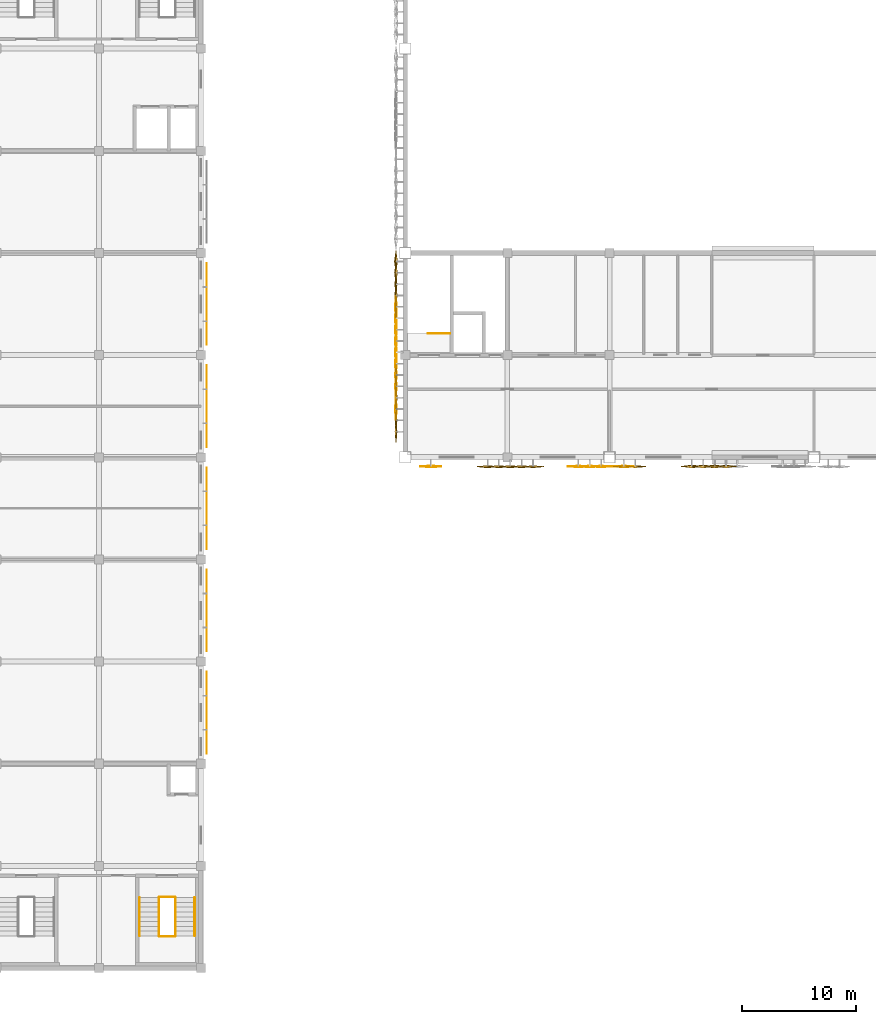
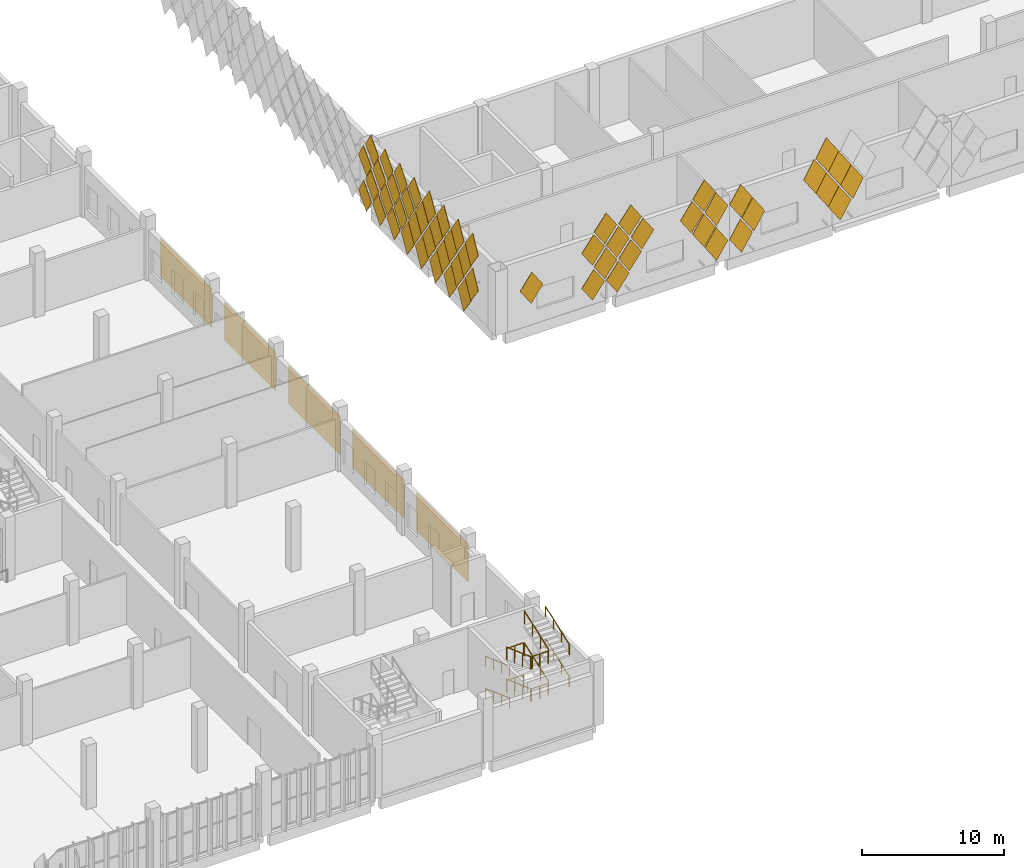
# One storey, part 167 of 185: 61 coverings, 13 railings.
"""IFC4 building model written with IfcOpenShell, lengths in metres."""

from ifc_helpers import new_model, si_unit, direction, frame, origin, origin_2d, place, context, subcontext, project, spatial, polyline, rectangle, circle, outline, extrude, material, layer, layer_set, constituent, constituent_set, material_profile, profile_set, type_object, element, save


model = new_model("IFC4")

# Units and contexts
model_context = context("Model", 3, precision=1e-05, world=origin(), true_north=direction((0.0, 1.0)))
body_context = subcontext(model_context, "Body", "Model", "MODEL_VIEW")
ifc_project = project(units=[si_unit("LENGTHUNIT", "METRE"), si_unit("AREAUNIT", "SQUARE_METRE"), si_unit("VOLUMEUNIT", "CUBIC_METRE"), si_unit("PLANEANGLEUNIT", "RADIAN"), si_unit("MASSUNIT", "GRAM", prefix="KILO")], contexts=[model_context])

# Site, building, storey
site_placement = place(None, origin())
site = spatial("IfcSite", under=ifc_project, at=site_placement, CompositionType="ELEMENT")
building_placement = place(site_placement, origin())
building = spatial("IfcBuilding", under=site, at=building_placement, Name="Opaline Strait Convention Centre", CompositionType="ELEMENT")
storey_placement = place(building_placement, frame((0.0, 0.0, 6.0)))
storey = spatial("IfcBuildingStorey", under=building, at=storey_placement, Name="L01", CompositionType="ELEMENT", Elevation=6.0)

# Coverings
ifc_material_1 = material(Name="White ceramic-faced aluminium tile", Category="aluminium")
ifc_material_profile_1 = material_profile(ifc_material_1, outline(polyline([(0.927978515625, 0.0), (0.0, 1.39208984375), (-0.927978515625, 0.0), (0.0, -1.39208984375), (0.927978515625, 0.0)])), Name="Diamond tile 1856x2784")
ifc_profile_set_1 = profile_set([ifc_material_profile_1], Name="White ceramic-faced aluminium tile")
covering_type_1 = type_object("IfcCoveringType", Name="Diamond wall tile 1856x2784x30 pivot 1.5 deg", PredefinedType="CLADDING", material=ifc_profile_set_1)
for number, where, z_axis, x_axis, name in (
    (1, (115.25, 53.199951171875, 3.39208984375), (0.0, -0.999702690643, 0.024382992455), (1.0, 0.0, 0.0), "Wall tile XT03 S"),
    (2, (114.25, 53.199951171875, 4.89208984375), (0.0, -0.999471633277, -0.032503142546), (1.0, 0.0, 0.0), "Wall tile XT03 S"),
    (3, (115.25, 53.199951171875, 6.39208984375), (0.0, -0.999471633277, -0.032503142546), (1.0, 0.0, 0.0), "Wall tile XT03 S"),
    (4, (98.199951171875, 63.25, 4.39208984375), (-0.999702690643, 0.0, 0.024382992455), (0.0, -1.0, 0.0), "Wall tile XT03 W"),
    (5, (98.199951171875, 62.25, 5.89208984375), (-0.999702690643, 0.0, 0.024382992455), (0.0, -1.0, 0.0), "Wall tile XT03 W"),
):
    element("IfcCovering", number, at=place(storey_placement, frame(where, z_axis=z_axis, x_axis=x_axis)), inside=storey, type_object=covering_type_1, Name=name, PredefinedType="CLADDING", context=body_context, shape_type="SweptSolid", body=[
        extrude(outline(polyline([(0.927978515625, 0.0), (0.0, 1.39208984375), (-0.927978515625, 0.0), (0.0, -1.39208984375), (0.927978515625, 0.0)])), origin(), (0.0, 0.0, 1.0), 0.030029296875),
    ])
ifc_material_profile_2 = material_profile(ifc_material_1, outline(polyline([(0.927978515625, 0.0), (0.0, 1.39208984375), (-0.927978515625, 0.0), (0.0, -1.39208984375), (0.927978515625, 0.0)])), Name="Diamond tile 1856x2784")
ifc_profile_set_2 = profile_set([ifc_material_profile_2], Name="White ceramic-faced aluminium tile")
covering_type_2 = type_object("IfcCoveringType", Name="Diamond wall tile 1856x2784x30 pivot 2 deg", PredefinedType="CLADDING", material=ifc_profile_set_2)
for number, where, z_axis, x_axis, name in (
    (6, (116.25, 53.199951171875, 1.89208984375), (0.0, -0.999471633277, 0.032503142546), (1.0, 0.0, 0.0), "Wall tile XT04 S"),
    (7, (101.25, 53.199951171875, 3.39208984375), (0.0, -0.999174794796, -0.040616861577), (1.0, 0.0, 0.0), "Wall tile XT04 S"),
    (8, (116.25, 53.199951171875, 4.89208984375), (0.0, -0.999471633277, 0.032503142546), (1.0, 0.0, 0.0), "Wall tile XT04 S"),
    (9, (118.25, 53.199951171875, 4.89208984375), (0.0, -0.999471633277, 0.032503142546), (1.0, 0.0, 0.0), "Wall tile XT04 S"),
    (10, (98.199951171875, 67.25, 1.39208984375), (-0.999174794796, 0.0, -0.040616861577), (0.0, -1.0, 0.0), "Wall tile XT04 W"),
    (11, (98.199951171875, 65.25, 1.39208984375), (-0.999471633277, 0.0, 0.032503142546), (0.0, -1.0, 0.0), "Wall tile XT04 W"),
    (12, (98.199951171875, 66.25, 2.89208984375), (-0.999174794796, 0.0, -0.040616861577), (0.0, -1.0, 0.0), "Wall tile XT04 W"),
    (13, (98.199951171875, 64.25, 2.89208984375), (-0.999471633277, 0.0, 0.032503142546), (0.0, -1.0, 0.0), "Wall tile XT04 W"),
    (14, (98.199951171875, 65.25, 4.39208984375), (-0.999174794796, 0.0, -0.040616861577), (0.0, -1.0, 0.0), "Wall tile XT04 W"),
    (15, (98.199951171875, 61.25, 4.39208984375), (-0.999471633277, 0.0, 0.032503142546), (0.0, -1.0, 0.0), "Wall tile XT04 W"),
    (16, (98.199951171875, 64.25, 5.89208984375), (-0.999174794796, 0.0, -0.040616861577), (0.0, -1.0, 0.0), "Wall tile XT04 W"),
    (17, (98.199951171875, 60.25, 5.89208984375), (-0.999471633277, 0.0, 0.032503142546), (0.0, -1.0, 0.0), "Wall tile XT04 W"),
):
    element("IfcCovering", number, at=place(storey_placement, frame(where, z_axis=z_axis, x_axis=x_axis)), inside=storey, type_object=covering_type_2, Name=name, PredefinedType="CLADDING", context=body_context, shape_type="SweptSolid", body=[
        extrude(outline(polyline([(0.927978515625, 0.0), (0.0, 1.39208984375), (-0.927978515625, 0.0), (0.0, -1.39208984375), (0.927978515625, 0.0)])), origin(), (0.0, 0.0, 1.0), 0.030029296875),
    ])
ifc_material_profile_3 = material_profile(ifc_material_1, outline(polyline([(0.927978515625, 0.0), (0.0, 1.39208984375), (-0.927978515625, 0.0), (0.0, -1.39208984375), (0.927978515625, 0.0)])), Name="Diamond tile 1856x2784")
ifc_profile_set_3 = profile_set([ifc_material_profile_3], Name="White ceramic-faced aluminium tile")
covering_type_3 = type_object("IfcCoveringType", Name="Diamond wall tile 1856x2784x30 pivot 2.5 deg", PredefinedType="CLADDING", material=ifc_profile_set_3)
for number, where, z_axis, x_axis, name in (
    (18, (98.199951171875, 69.25, 1.39208984375), (-0.998812351125, 0.0, -0.048722553713), (0.0, -1.0, 0.0), "Wall tile XT05 W"),
    (19, (98.199951171875, 63.25, 1.39208984375), (-0.999174794796, 0.0, 0.040616861577), (0.0, -1.0, 0.0), "Wall tile XT05 W"),
    (20, (98.199951171875, 68.25, 2.89208984375), (-0.998812351125, 0.0, -0.048722553713), (0.0, -1.0, 0.0), "Wall tile XT05 W"),
    (21, (98.199951171875, 62.25, 2.89208984375), (-0.999174794796, 0.0, 0.040616861577), (0.0, -1.0, 0.0), "Wall tile XT05 W"),
    (22, (98.199951171875, 67.25, 4.39208984375), (-0.998812351125, 0.0, -0.048722553713), (0.0, -1.0, 0.0), "Wall tile XT05 W"),
    (23, (98.199951171875, 66.25, 5.89208984375), (-0.998812351125, 0.0, -0.048722553713), (0.0, -1.0, 0.0), "Wall tile XT05 W"),
    (24, (98.199951171875, 58.25, 5.89208984375), (-0.999174794796, 0.0, 0.040616861577), (0.0, -1.0, 0.0), "Wall tile XT05 W"),
):
    element("IfcCovering", number, at=place(storey_placement, frame(where, z_axis=z_axis, x_axis=x_axis)), inside=storey, type_object=covering_type_3, Name=name, PredefinedType="CLADDING", context=body_context, shape_type="SweptSolid", body=[
        extrude(outline(polyline([(0.927978515625, 0.0), (0.0, 1.39208984375), (-0.927978515625, 0.0), (0.0, -1.39208984375), (0.927978515625, 0.0)])), origin(), (0.0, 0.0, 1.0), 0.030029296875),
    ])
ifc_material_profile_4 = material_profile(ifc_material_1, outline(polyline([(0.927978515625, 0.0), (0.0, 1.39208984375), (-0.927978515625, 0.0), (0.0, -1.39208984375), (0.927978515625, 0.0)])), Name="Diamond tile 1856x2784")
ifc_profile_set_4 = profile_set([ifc_material_profile_4], Name="White ceramic-faced aluminium tile")
covering_type_4 = type_object("IfcCoveringType", Name="Diamond wall tile 1856x2784x30 pivot 3 deg", PredefinedType="CLADDING", material=ifc_profile_set_4)
for number, where, z_axis, x_axis, name in (
    (25, (98.199951171875, 60.25, 2.89208984375), (-0.998812351125, 0.0, 0.048722553713), (0.0, -1.0, 0.0), "Wall tile XT06 W"),
    (26, (98.199951171875, 59.25, 4.39208984375), (-0.998812351125, 0.0, 0.048722553713), (0.0, -1.0, 0.0), "Wall tile XT06 W"),
):
    element("IfcCovering", number, at=place(storey_placement, frame(where, z_axis=z_axis, x_axis=x_axis)), inside=storey, type_object=covering_type_4, Name=name, PredefinedType="CLADDING", context=body_context, shape_type="SweptSolid", body=[
        extrude(outline(polyline([(0.927978515625, 0.0), (0.0, 1.39208984375), (-0.927978515625, 0.0), (0.0, -1.39208984375), (0.927978515625, 0.0)])), origin(), (0.0, 0.0, 1.0), 0.030029296875),
    ])
ifc_material_profile_5 = material_profile(ifc_material_1, outline(polyline([(0.927978515625, 0.0), (0.0, 1.39208984375), (-0.927978515625, 0.0), (0.0, -1.39208984375), (0.927978515625, 0.0)])), Name="Diamond tile 1856x2784")
ifc_profile_set_5 = profile_set([ifc_material_profile_5], Name="White ceramic-faced aluminium tile")
covering_type_5 = type_object("IfcCoveringType", Name="Diamond wall tile 1856x2784x30 pivot 3.5 deg", PredefinedType="CLADDING", material=ifc_profile_set_5)
for number, where, z_axis, x_axis, name in (
    (27, (108.25, 53.199951171875, 1.89208984375), (0.0, -0.99785694905, -0.065433242561), (1.0, 0.0, 0.0), "Wall tile XT07 S"),
    (28, (118.25, 53.199951171875, 1.89208984375), (0.0, -0.99835799028, 0.057282835508), (1.0, 0.0, 0.0), "Wall tile XT07 S"),
    (29, (109.25, 53.199951171875, 3.39208984375), (0.0, -0.99785694905, -0.065433242561), (1.0, 0.0, 0.0), "Wall tile XT07 S"),
    (30, (119.25, 53.199951171875, 3.39208984375), (0.0, -0.99835799028, 0.057282835508), (1.0, 0.0, 0.0), "Wall tile XT07 S"),
    (31, (110.25, 53.199951171875, 4.89208984375), (0.0, -0.99785694905, -0.065433242561), (1.0, 0.0, 0.0), "Wall tile XT07 S"),
    (32, (98.199951171875, 61.25, 1.39208984375), (-0.99835799028, 0.0, 0.057282835508), (0.0, -1.0, 0.0), "Wall tile XT07 W"),
    (33, (98.199951171875, 57.25, 1.39208984375), (-0.99835799028, 0.0, 0.057282835508), (0.0, -1.0, 0.0), "Wall tile XT07 W"),
    (34, (98.199951171875, 58.25, 2.89208984375), (-0.99835799028, 0.0, 0.057282835508), (0.0, -1.0, 0.0), "Wall tile XT07 W"),
    (35, (98.199951171875, 56.25, 2.89208984375), (-0.99835799028, 0.0, 0.057282835508), (0.0, -1.0, 0.0), "Wall tile XT07 W"),
    (36, (98.199951171875, 57.25, 4.39208984375), (-0.99835799028, 0.0, 0.057282835508), (0.0, -1.0, 0.0), "Wall tile XT07 W"),
    (37, (98.199951171875, 56.25, 5.89208984375), (-0.99835799028, 0.0, 0.057282835508), (0.0, -1.0, 0.0), "Wall tile XT07 W"),
):
    element("IfcCovering", number, at=place(storey_placement, frame(where, z_axis=z_axis, x_axis=x_axis)), inside=storey, type_object=covering_type_5, Name=name, PredefinedType="CLADDING", context=body_context, shape_type="SweptSolid", body=[
        extrude(outline(polyline([(0.927978515625, 0.0), (0.0, 1.39208984375), (-0.927978515625, 0.0), (0.0, -1.39208984375), (0.927978515625, 0.0)])), origin(), (0.0, 0.0, 1.0), 0.02978515625),
    ])
ifc_material_profile_6 = material_profile(ifc_material_1, outline(polyline([(0.927978515625, 0.0), (0.0, 1.39208984375), (-0.927978515625, 0.0), (0.0, -1.39208984375), (0.927978515625, 0.0)])), Name="Diamond tile 1856x2784")
ifc_profile_set_6 = profile_set([ifc_material_profile_6], Name="White ceramic-faced aluminium tile")
covering_type_6 = type_object("IfcCoveringType", Name="Diamond wall tile 1856x2784x30 pivot 4 deg", PredefinedType="CLADDING", material=ifc_profile_set_6)
for number, where, z_axis, x_axis, name in (
    (38, (106.25, 53.199951171875, 1.89208984375), (0.0, -0.997290013252, -0.073570574748), (1.0, 0.0, 0.0), "Wall tile XT08 S"),
    (39, (107.25, 53.199951171875, 3.39208984375), (0.0, -0.997290013252, -0.073570574748), (1.0, 0.0, 0.0), "Wall tile XT08 S"),
    (40, (106.25, 53.199951171875, 4.89208984375), (0.0, -0.997290013252, -0.073570574748), (1.0, 0.0, 0.0), "Wall tile XT08 S"),
    (41, (108.25, 53.199951171875, 4.89208984375), (0.0, -0.997290013252, -0.073570574748), (1.0, 0.0, 0.0), "Wall tile XT08 S"),
    (42, (107.25, 53.199951171875, 6.39208984375), (0.0, -0.997290013252, -0.073570574748), (1.0, 0.0, 0.0), "Wall tile XT08 S"),
    (43, (109.25, 53.199951171875, 6.39208984375), (0.0, -0.997290013252, -0.073570574748), (1.0, 0.0, 0.0), "Wall tile XT08 S"),
    (44, (98.199951171875, 59.25, 1.39208984375), (-0.99785694905, 0.0, 0.065433242561), (0.0, -1.0, 0.0), "Wall tile XT08 W"),
    (45, (98.199951171875, 70.25, 2.89208984375), (-0.997290013252, 0.0, -0.073570574748), (0.0, -1.0, 0.0), "Wall tile XT08 W"),
    (46, (98.199951171875, 69.25, 4.39208984375), (-0.997290013252, 0.0, -0.073570574748), (0.0, -1.0, 0.0), "Wall tile XT08 W"),
):
    element("IfcCovering", number, at=place(storey_placement, frame(where, z_axis=z_axis, x_axis=x_axis)), inside=storey, type_object=covering_type_6, Name=name, PredefinedType="CLADDING", context=body_context, shape_type="SweptSolid", body=[
        extrude(outline(polyline([(0.927978515625, 0.0), (0.0, 1.39208984375), (-0.927978515625, 0.0), (0.0, -1.39208984375), (0.927978515625, 0.0)])), origin(), (0.0, 0.0, 1.0), 0.02978515625),
    ])
ifc_material_profile_7 = material_profile(ifc_material_1, outline(polyline([(0.927978515625, 0.0), (0.0, 1.39208984375), (-0.927978515625, 0.0), (0.0, -1.39208984375), (0.927978515625, 0.0)])), Name="Diamond tile 1856x2784")
ifc_profile_set_7 = profile_set([ifc_material_profile_7], Name="White ceramic-faced aluminium tile")
covering_type_7 = type_object("IfcCoveringType", Name="Diamond wall tile 1856x2784x30 pivot 4.5 deg", PredefinedType="CLADDING", material=ifc_profile_set_7)
for number, where, z_axis, x_axis, name in (
    (47, (98.199951171875, 71.25, 1.39208984375), (-0.996657521232, 0.0, -0.081693239445), (0.0, -1.0, 0.0), "Wall tile XT09 W"),
    (48, (98.199951171875, 68.25, 5.89208984375), (-0.996657521232, 0.0, -0.081693239445), (0.0, -1.0, 0.0), "Wall tile XT09 W"),
):
    element("IfcCovering", number, at=place(storey_placement, frame(where, z_axis=z_axis, x_axis=x_axis)), inside=storey, type_object=covering_type_7, Name=name, PredefinedType="CLADDING", context=body_context, shape_type="SweptSolid", body=[
        extrude(outline(polyline([(0.927978515625, 0.0), (0.0, 1.39208984375), (-0.927978515625, 0.0), (0.0, -1.39208984375), (0.927978515625, 0.0)])), origin(), (0.0, 0.0, 1.0), 0.02978515625),
    ])
ifc_material_profile_8 = material_profile(ifc_material_1, outline(polyline([(0.927978515625, 0.0), (0.0, 1.39208984375), (-0.927978515625, 0.0), (0.0, -1.39208984375), (0.927978515625, 0.0)])), Name="Diamond tile 1856x2784")
ifc_profile_set_8 = profile_set([ifc_material_profile_8], Name="White ceramic-faced aluminium tile")
covering_type_8 = type_object("IfcCoveringType", Name="Diamond wall tile 1856x2784x30 pivot 5 deg", PredefinedType="CLADDING", material=ifc_profile_set_8)
for number, where, z_axis, x_axis, name in (
    (49, (126.25, 53.199951171875, 1.89208984375), (0.0, -0.996657521232, 0.081693239445), (1.0, 0.0, 0.0), "Wall tile XT10 S"),
    (50, (127.25, 53.199951171875, 3.39208984375), (0.0, -0.996657521232, 0.081693239445), (1.0, 0.0, 0.0), "Wall tile XT10 S"),
    (51, (98.199951171875, 70.25, 5.89208984375), (-0.995959849254, 0.0, -0.089799658539), (0.0, -1.0, 0.0), "Wall tile XT10 W"),
):
    element("IfcCovering", number, at=place(storey_placement, frame(where, z_axis=z_axis, x_axis=x_axis)), inside=storey, type_object=covering_type_8, Name=name, PredefinedType="CLADDING", context=body_context, shape_type="SweptSolid", body=[
        extrude(outline(polyline([(0.927978515625, 0.0), (0.0, 1.39208984375), (-0.927978515625, 0.0), (0.0, -1.39208984375), (0.927978515625, 0.0)])), origin(), (0.0, 0.0, 1.0), 0.02978515625),
    ])
ifc_material_profile_9 = material_profile(ifc_material_1, outline(polyline([(0.927978515625, 0.0), (0.0, 1.39208984375), (-0.927978515625, 0.0), (0.0, -1.39208984375), (0.927978515625, 0.0)])), Name="Diamond tile 1856x2784")
ifc_profile_set_9 = profile_set([ifc_material_profile_9], Name="White ceramic-faced aluminium tile")
covering_type_9 = type_object("IfcCoveringType", Name="Diamond wall tile 1856x2784x30 pivot 5.5 deg", PredefinedType="CLADDING", material=ifc_profile_set_9)
for number, where, z_axis, x_axis, name in (
    (52, (125.25, 53.199951171875, 3.39208984375), (0.0, -0.995959849254, 0.089799658539), (1.0, 0.0, 0.0), "Wall tile XT11 S"),
    (53, (124.25, 53.199951171875, 4.89208984375), (0.0, -0.995959849254, 0.089799658539), (1.0, 0.0, 0.0), "Wall tile XT11 S"),
    (54, (125.25, 53.199951171875, 6.39208984375), (0.0, -0.995959849254, 0.089799658539), (1.0, 0.0, 0.0), "Wall tile XT11 S"),
):
    element("IfcCovering", number, at=place(storey_placement, frame(where, z_axis=z_axis, x_axis=x_axis)), inside=storey, type_object=covering_type_9, Name=name, PredefinedType="CLADDING", context=body_context, shape_type="SweptSolid", body=[
        extrude(outline(polyline([(0.927978515625, 0.0), (0.0, 1.39208984375), (-0.927978515625, 0.0), (0.0, -1.39208984375), (0.927978515625, 0.0)])), origin(), (0.0, 0.0, 1.0), 0.02978515625),
    ])
covering_1_placement = place(storey_placement, frame((98.199951171875, 71.25, 4.39208984375), z_axis=(-0.995197410875, 0.0, -0.097888269922), x_axis=(0.0, -1.0, 0.0)))
element("IfcCovering", 55, at=covering_1_placement, inside=storey, type_object=covering_type_9, Name="Wall tile XT11 W", PredefinedType="CLADDING", context=body_context, shape_type="SweptSolid", body=[
    extrude(outline(polyline([(0.927978515625, 0.0), (0.0, 1.39208984375), (-0.927978515625, 0.0), (0.0, -1.39208984375), (0.927978515625, 0.0)])), origin(), (0.0, 0.0, 1.0), 0.030029296875),
])
ifc_material_profile_10 = material_profile(ifc_material_1, outline(polyline([(0.927978515625, 0.0), (0.0, 1.39208984375), (-0.927978515625, 0.0), (0.0, -1.39208984375), (0.927978515625, 0.0)])), Name="Diamond tile 1856x2784")
ifc_profile_set_10 = profile_set([ifc_material_profile_10], Name="White ceramic-faced aluminium tile")
covering_type_10 = type_object("IfcCoveringType", Name="Diamond wall tile 1856x2784x30 pivot 6 deg", PredefinedType="CLADDING", material=ifc_profile_set_10)
covering_2_placement = place(storey_placement, frame((126.25, 53.199951171875, 4.89208984375), z_axis=(0.0, -0.995197410875, 0.097888269922), x_axis=(1.0, 0.0, 0.0)))
element("IfcCovering", 56, at=covering_2_placement, inside=storey, type_object=covering_type_10, Name="Wall tile XT12 S", PredefinedType="CLADDING", context=body_context, shape_type="SweptSolid", body=[
    extrude(outline(polyline([(0.927978515625, 0.0), (0.0, 1.39208984375), (-0.927978515625, 0.0), (0.0, -1.39208984375), (0.927978515625, 0.0)])), origin(), (0.0, 0.0, 1.0), 0.030029296875),
])
ifc_material_2 = material(Name="Perforated aluminium sheet", Category="aluminium")
ifc_layer = layer(ifc_material_2, 0.030029296875)
ifc_layer_set = layer_set([ifc_layer], Name="Perforated aluminium sheet")
covering_type_11 = type_object("IfcCoveringType", Name="Perforated aluminium screen 7200x3300", PredefinedType="CLADDING", material=ifc_layer_set)
for number, where, z_axis, x_axis, name in (
    (57, (81.514892578125, 31.5, 0.39990234375), (0.0, 0.0, 1.0), (1.0, 0.0, 0.0), "Perforated screen L01 bay 3"),
    (58, (81.514892578125, 40.5, 0.39990234375), (0.0, 0.0, 1.0), (1.0, 0.0, 0.0), "Perforated screen L01 bay 4"),
    (59, (81.514892578125, 49.5, 0.39990234375), (0.0, 0.0, 1.0), (1.0, 0.0, 0.0), "Perforated screen L01 bay 5"),
    (60, (81.514892578125, 58.5, 0.39990234375), (0.0, 0.0, 1.0), (1.0, 0.0, 0.0), "Perforated screen L01 bay 6"),
    (61, (81.514892578125, 67.5, 0.39990234375), (0.0, 0.0, 1.0), (1.0, 0.0, 0.0), "Perforated screen L01 bay 7"),
):
    element("IfcCovering", number, at=place(storey_placement, frame(where, z_axis=z_axis, x_axis=x_axis)), inside=storey, type_object=covering_type_11, Name=name, PredefinedType="CLADDING", context=body_context, shape_type="SweptSolid", body=[
        extrude(rectangle(XDim=0.030029296875, YDim=7.199951171875, at=origin_2d()), origin(), (0.0, 0.0, 1.0), 3.300048828125),
    ])

# Railings
ifc_material_3 = material(Name="Steel Q235B", Category="steel")
ifc_constituent_1 = constituent(ifc_material_3, Name="Frame")
ifc_material_4 = material(Name="Safety glass, bonded interlayer", Category="glass")
ifc_constituent_2 = constituent(ifc_material_4, Name="Infill")
ifc_constituent_set_1 = constituent_set(constituents=[ifc_constituent_1, ifc_constituent_2], Name="Steel Q235B, Safety glass, bonded interlayer")
railing_type_1 = type_object("IfcRailingType", Name="Stair guard 1100 Q235B and glass", PredefinedType="GUARDRAIL", material=ifc_constituent_set_1)
railing_1_placement = place(storey_placement, frame((77.300048828125, 15.199951171875, 0.15283203125)))
element("IfcRailing", 62, at=railing_1_placement, inside=storey, type_object=railing_type_1, Name="L01 SEA stair guard 1", PredefinedType="GUARDRAIL", context=body_context, shape_type="SweptSolid", body=[
    extrude(circle(Radius=0.02392578125, at=origin_2d()), frame((0.0, 0.0, 1.076171875), z_axis=(0.0, -0.93975753056, 0.341841752506), x_axis=(1.0, 0.0, 0.0)), (0.0, 0.0, 1.0), 3.5751953125),
    extrude(circle(Radius=0.02099609375, at=origin_2d()), origin(), (0.0, 0.0, 1.0), 1.052001953125),
    extrude(circle(Radius=0.02099609375, at=origin_2d()), frame((0.0, -1.119873046875, 0.407470703125)), (0.0, 0.0, 1.0), 1.052001953125),
    extrude(circle(Radius=0.02099609375, at=origin_2d()), frame((0.0, -2.239990234375, 0.814697265625)), (0.0, 0.0, 1.0), 1.052001953125),
    extrude(circle(Radius=0.02099609375, at=origin_2d()), frame((0.0, -3.35986328125, 1.22216796875)), (0.0, 0.0, 1.0), 1.052001953125),
])
railing_2_placement = place(storey_placement, frame((77.35009765625, 11.7900390625, 1.375)))
element("IfcRailing", 63, at=railing_2_placement, inside=storey, type_object=railing_type_1, Name="L01 SEA stair guard 2", PredefinedType="GUARDRAIL", context=body_context, shape_type="SweptSolid", body=[
    extrude(circle(Radius=0.02392578125, at=origin_2d()), frame((0.0, 0.0, 1.076171875), z_axis=(1.0, 0.0, 0.0), x_axis=(0.0, 1.0, 0.0)), (0.0, 0.0, 1.0), 1.349853515625),
    extrude(circle(Radius=0.02099609375, at=origin_2d()), origin(), (0.0, 0.0, 1.0), 1.052001953125),
    extrude(circle(Radius=0.02099609375, at=origin_2d()), frame((0.6748046875, 0.0, 0.0)), (0.0, 0.0, 1.0), 1.052001953125),
    extrude(circle(Radius=0.02099609375, at=origin_2d()), frame((1.349853515625, 0.0, 0.0)), (0.0, 0.0, 1.0), 1.052001953125),
])
railing_3_placement = place(storey_placement, frame((78.75, 11.840087890625, 1.52783203125)))
element("IfcRailing", 64, at=railing_3_placement, inside=storey, type_object=railing_type_1, Name="L01 SEA stair guard 3", PredefinedType="GUARDRAIL", context=body_context, shape_type="SweptSolid", body=[
    extrude(circle(Radius=0.02392578125, at=origin_2d()), frame((0.0, 0.0, 1.076171875), z_axis=(0.0, 0.93975753056, 0.341841752506), x_axis=(-1.0, 0.0, 0.0)), (0.0, 0.0, 1.0), 3.5751953125),
    extrude(circle(Radius=0.02099609375, at=origin_2d()), origin(), (0.0, 0.0, 1.0), 1.052001953125),
    extrude(circle(Radius=0.02099609375, at=origin_2d()), frame((0.0, 1.119873046875, 0.407470703125)), (0.0, 0.0, 1.0), 1.052001953125),
    extrude(circle(Radius=0.02099609375, at=origin_2d()), frame((0.0, 2.239990234375, 0.814697265625)), (0.0, 0.0, 1.0), 1.052001953125),
    extrude(circle(Radius=0.02099609375, at=origin_2d()), frame((0.0, 3.35986328125, 1.22216796875)), (0.0, 0.0, 1.0), 1.052001953125),
])
railing_4_placement = place(storey_placement, frame((77.35009765625, 15.25, 2.75)))
element("IfcRailing", 65, at=railing_4_placement, inside=storey, type_object=railing_type_1, Name="L01 SEA stair guard 4", PredefinedType="GUARDRAIL", context=body_context, shape_type="SweptSolid", body=[
    extrude(circle(Radius=0.02392578125, at=origin_2d()), frame((0.0, 0.0, 1.076171875), z_axis=(1.0, 0.0, 0.0), x_axis=(0.0, 1.0, 0.0)), (0.0, 0.0, 1.0), 1.349853515625),
    extrude(circle(Radius=0.02099609375, at=origin_2d()), origin(), (0.0, 0.0, 1.0), 1.052001953125),
    extrude(circle(Radius=0.02099609375, at=origin_2d()), frame((0.6748046875, 0.0, 0.0)), (0.0, 0.0, 1.0), 1.052001953125),
    extrude(circle(Radius=0.02099609375, at=origin_2d()), frame((1.349853515625, 0.0, 0.0)), (0.0, 0.0, 1.0), 1.052001953125),
])
railing_5_placement = place(storey_placement, frame((77.300048828125, 15.199951171875, 2.90283203125)))
element("IfcRailing", 66, at=railing_5_placement, inside=storey, type_object=railing_type_1, Name="L01 SEA stair guard 5", PredefinedType="GUARDRAIL", context=body_context, shape_type="SweptSolid", body=[
    extrude(circle(Radius=0.02392578125, at=origin_2d()), frame((0.0, 0.0, 1.076171875), z_axis=(0.0, -0.93975753056, 0.341841752506), x_axis=(1.0, 0.0, 0.0)), (0.0, 0.0, 1.0), 3.5751953125),
    extrude(circle(Radius=0.02099609375, at=origin_2d()), origin(), (0.0, 0.0, 1.0), 1.052001953125),
    extrude(circle(Radius=0.02099609375, at=origin_2d()), frame((0.0, -1.119873046875, 0.407470703125)), (0.0, 0.0, 1.0), 1.052001953125),
    extrude(circle(Radius=0.02099609375, at=origin_2d()), frame((0.0, -2.239990234375, 0.814697265625)), (0.0, 0.0, 1.0), 1.052001953125),
    extrude(circle(Radius=0.02099609375, at=origin_2d()), frame((0.0, -3.35986328125, 1.22216796875)), (0.0, 0.0, 1.0), 1.052001953125),
])
railing_6_placement = place(storey_placement, frame((77.35009765625, 11.7900390625, 4.125)))
element("IfcRailing", 67, at=railing_6_placement, inside=storey, type_object=railing_type_1, Name="L01 SEA stair guard 6", PredefinedType="GUARDRAIL", context=body_context, shape_type="SweptSolid", body=[
    extrude(circle(Radius=0.02392578125, at=origin_2d()), frame((0.0, 0.0, 1.076171875), z_axis=(1.0, 0.0, 0.0), x_axis=(0.0, 1.0, 0.0)), (0.0, 0.0, 1.0), 1.349853515625),
    extrude(circle(Radius=0.02099609375, at=origin_2d()), origin(), (0.0, 0.0, 1.0), 1.052001953125),
    extrude(circle(Radius=0.02099609375, at=origin_2d()), frame((0.6748046875, 0.0, 0.0)), (0.0, 0.0, 1.0), 1.052001953125),
    extrude(circle(Radius=0.02099609375, at=origin_2d()), frame((1.349853515625, 0.0, 0.0)), (0.0, 0.0, 1.0), 1.052001953125),
])
railing_7_placement = place(storey_placement, frame((78.75, 11.840087890625, 4.27783203125)))
element("IfcRailing", 68, at=railing_7_placement, inside=storey, type_object=railing_type_1, Name="L01 SEA stair guard 7", PredefinedType="GUARDRAIL", context=body_context, shape_type="SweptSolid", body=[
    extrude(circle(Radius=0.02392578125, at=origin_2d()), frame((0.0, 0.0, 1.076171875), z_axis=(0.0, 0.93975753056, 0.341841752506), x_axis=(-1.0, 0.0, 0.0)), (0.0, 0.0, 1.0), 3.5751953125),
    extrude(circle(Radius=0.02099609375, at=origin_2d()), origin(), (0.0, 0.0, 1.0), 1.052001953125),
    extrude(circle(Radius=0.02099609375, at=origin_2d()), frame((0.0, 1.119873046875, 0.407470703125)), (0.0, 0.0, 1.0), 1.052001953125),
    extrude(circle(Radius=0.02099609375, at=origin_2d()), frame((0.0, 2.239990234375, 0.814697265625)), (0.0, 0.0, 1.0), 1.052001953125),
    extrude(circle(Radius=0.02099609375, at=origin_2d()), frame((0.0, 3.35986328125, 1.22216796875)), (0.0, 0.0, 1.0), 1.052001953125),
])
railing_8_placement = place(storey_placement, frame((77.35009765625, 15.25, 0.0)))
element("IfcRailing", 69, at=railing_8_placement, inside=storey, type_object=railing_type_1, Name="L01 SEA stair guard 8", PredefinedType="GUARDRAIL", context=body_context, shape_type="SweptSolid", body=[
    extrude(circle(Radius=0.02392578125, at=origin_2d()), frame((0.0, 0.0, 1.076171875), z_axis=(1.0, 0.0, 0.0), x_axis=(0.0, 1.0, 0.0)), (0.0, 0.0, 1.0), 1.349853515625),
    extrude(circle(Radius=0.02099609375, at=origin_2d()), origin(), (0.0, 0.0, 1.0), 1.052001953125),
    extrude(circle(Radius=0.02099609375, at=origin_2d()), frame((0.6748046875, 0.0, 0.0)), (0.0, 0.0, 1.0), 1.052001953125),
    extrude(circle(Radius=0.02099609375, at=origin_2d()), frame((1.349853515625, 0.0, 0.0)), (0.0, 0.0, 1.0), 1.052001953125),
])
ifc_constituent_3 = constituent(ifc_material_3, Name="Frame")
ifc_constituent_4 = constituent(ifc_material_4, Name="Infill")
ifc_constituent_set_2 = constituent_set(constituents=[ifc_constituent_3, ifc_constituent_4], Name="Steel Q235B, Safety glass, bonded interlayer")
railing_type_2 = type_object("IfcRailingType", Name="Stair guard 1100 steel and glass", PredefinedType="GUARDRAIL", material=ifc_constituent_set_2)
railing_9_placement = place(storey_placement, frame((102.949951171875, 64.89990234375, 0.0)))
element("IfcRailing", 70, at=railing_9_placement, inside=storey, type_object=railing_type_2, Name="L01 XST1 top well guard 1", PredefinedType="GUARDRAIL", context=body_context, shape_type="SweptSolid", body=[
    extrude(circle(Radius=0.02392578125, at=origin_2d()), frame((0.0, 0.0, 1.076171875), z_axis=(-1.0, 0.0, 0.0), x_axis=(0.0, -1.0, 0.0)), (0.0, 0.0, 1.0), 1.949951171875),
    extrude(circle(Radius=0.02099609375, at=origin_2d()), origin(), (0.0, 0.0, 1.0), 1.052001953125),
    extrude(circle(Radius=0.02099609375, at=origin_2d()), frame((-0.97509765625, 0.0, 0.0)), (0.0, 0.0, 1.0), 1.052001953125),
    extrude(circle(Radius=0.02099609375, at=origin_2d()), frame((-1.949951171875, 0.0, 0.0)), (0.0, 0.0, 1.0), 1.052001953125),
])
ifc_material_5 = material(Name="Stainless steel 304", Category="steel")
railing_type_3 = type_object("IfcRailingType", Name="Stair handrail 900 stainless 304", PredefinedType="HANDRAIL", material=ifc_material_5)
railing_10_placement = place(storey_placement, frame((75.60009765625, 15.199951171875, 0.15283203125)))
element("IfcRailing", 71, at=railing_10_placement, inside=storey, type_object=railing_type_3, Name="L01 SEA stair handrail 1", PredefinedType="HANDRAIL", context=body_context, shape_type="SweptSolid", body=[
    extrude(circle(Radius=0.02392578125, at=origin_2d()), frame((0.0, 0.0, 0.8759765625), z_axis=(0.0, -0.93975753056, 0.341841752506), x_axis=(1.0, 0.0, 0.0)), (0.0, 0.0, 1.0), 3.5751953125),
    extrude(circle(Radius=0.02099609375, at=origin_2d()), origin(), (0.0, 0.0, 1.0), 0.851806640625),
    extrude(circle(Radius=0.02099609375, at=origin_2d()), frame((0.0, -1.119873046875, 0.407470703125)), (0.0, 0.0, 1.0), 0.851806640625),
    extrude(circle(Radius=0.02099609375, at=origin_2d()), frame((0.0, -2.239990234375, 0.814697265625)), (0.0, 0.0, 1.0), 0.851806640625),
    extrude(circle(Radius=0.02099609375, at=origin_2d()), frame((0.0, -3.35986328125, 1.22216796875)), (0.0, 0.0, 1.0), 0.851806640625),
])
railing_11_placement = place(storey_placement, frame((80.449951171875, 11.840087890625, 1.52783203125)))
element("IfcRailing", 72, at=railing_11_placement, inside=storey, type_object=railing_type_3, Name="L01 SEA stair handrail 2", PredefinedType="HANDRAIL", context=body_context, shape_type="SweptSolid", body=[
    extrude(circle(Radius=0.02392578125, at=origin_2d()), frame((0.0, 0.0, 0.8759765625), z_axis=(0.0, 0.93975753056, 0.341841752506), x_axis=(-1.0, 0.0, 0.0)), (0.0, 0.0, 1.0), 3.5751953125),
    extrude(circle(Radius=0.02099609375, at=origin_2d()), origin(), (0.0, 0.0, 1.0), 0.851806640625),
    extrude(circle(Radius=0.02099609375, at=origin_2d()), frame((0.0, 1.119873046875, 0.407470703125)), (0.0, 0.0, 1.0), 0.851806640625),
    extrude(circle(Radius=0.02099609375, at=origin_2d()), frame((0.0, 2.239990234375, 0.814697265625)), (0.0, 0.0, 1.0), 0.851806640625),
    extrude(circle(Radius=0.02099609375, at=origin_2d()), frame((0.0, 3.35986328125, 1.22216796875)), (0.0, 0.0, 1.0), 0.851806640625),
])
railing_12_placement = place(storey_placement, frame((75.60009765625, 15.199951171875, 2.90283203125)))
element("IfcRailing", 73, at=railing_12_placement, inside=storey, type_object=railing_type_3, Name="L01 SEA stair handrail 3", PredefinedType="HANDRAIL", context=body_context, shape_type="SweptSolid", body=[
    extrude(circle(Radius=0.02392578125, at=origin_2d()), frame((0.0, 0.0, 0.8759765625), z_axis=(0.0, -0.93975753056, 0.341841752506), x_axis=(1.0, 0.0, 0.0)), (0.0, 0.0, 1.0), 3.5751953125),
    extrude(circle(Radius=0.02099609375, at=origin_2d()), origin(), (0.0, 0.0, 1.0), 0.851806640625),
    extrude(circle(Radius=0.02099609375, at=origin_2d()), frame((0.0, -1.119873046875, 0.407470703125)), (0.0, 0.0, 1.0), 0.851806640625),
    extrude(circle(Radius=0.02099609375, at=origin_2d()), frame((0.0, -2.239990234375, 0.814697265625)), (0.0, 0.0, 1.0), 0.851806640625),
    extrude(circle(Radius=0.02099609375, at=origin_2d()), frame((0.0, -3.35986328125, 1.22216796875)), (0.0, 0.0, 1.0), 0.851806640625),
])
railing_13_placement = place(storey_placement, frame((80.449951171875, 11.840087890625, 4.27783203125)))
element("IfcRailing", 74, at=railing_13_placement, inside=storey, type_object=railing_type_3, Name="L01 SEA stair handrail 4", PredefinedType="HANDRAIL", context=body_context, shape_type="SweptSolid", body=[
    extrude(circle(Radius=0.02392578125, at=origin_2d()), frame((0.0, 0.0, 0.8759765625), z_axis=(0.0, 0.93975753056, 0.341841752506), x_axis=(-1.0, 0.0, 0.0)), (0.0, 0.0, 1.0), 3.5751953125),
    extrude(circle(Radius=0.02099609375, at=origin_2d()), origin(), (0.0, 0.0, 1.0), 0.851806640625),
    extrude(circle(Radius=0.02099609375, at=origin_2d()), frame((0.0, 1.119873046875, 0.407470703125)), (0.0, 0.0, 1.0), 0.851806640625),
    extrude(circle(Radius=0.02099609375, at=origin_2d()), frame((0.0, 2.239990234375, 0.814697265625)), (0.0, 0.0, 1.0), 0.851806640625),
    extrude(circle(Radius=0.02099609375, at=origin_2d()), frame((0.0, 3.35986328125, 1.22216796875)), (0.0, 0.0, 1.0), 0.851806640625),
])

save(model, "model.ifc")
